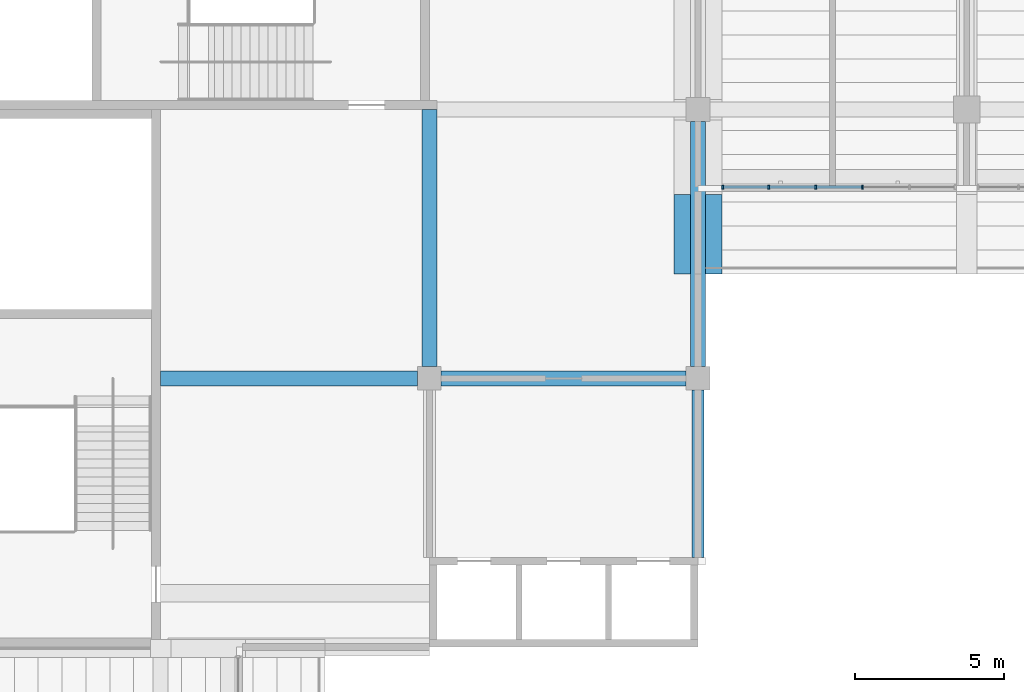
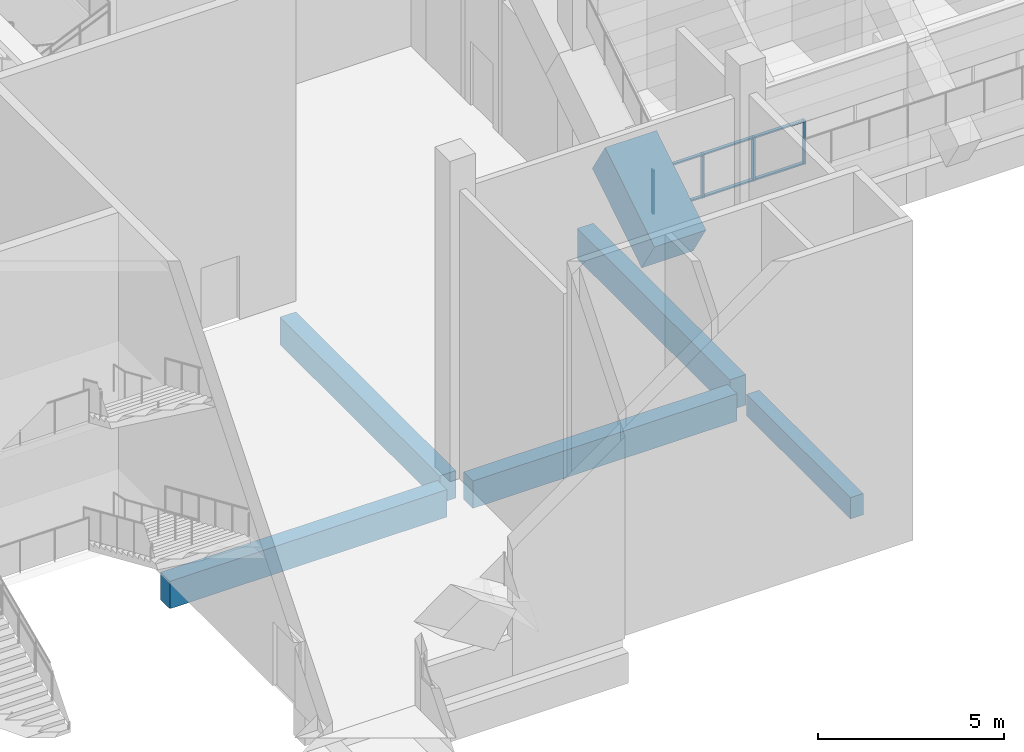
# One storey, part 34 of 182: 10 members, 6 beams, 1 element without a shape of its own.
"""IFC4 building model written with IfcOpenShell, lengths in metres."""

from ifc_helpers import new_model, si_unit, direction, frame, origin, origin_2d, place, context, subcontext, project, spatial, rectangle, extrude, material, material_profile, profile_set, type_object, element, aggregate, save


model = new_model("IFC4")

# Units and contexts
model_context = context("Model", 3, precision=1e-05, world=origin(), true_north=direction((0.0, 1.0)))
body_context = subcontext(model_context, "Body", "Model", "MODEL_VIEW")
ifc_project = project(units=[si_unit("LENGTHUNIT", "METRE"), si_unit("AREAUNIT", "SQUARE_METRE"), si_unit("VOLUMEUNIT", "CUBIC_METRE"), si_unit("PLANEANGLEUNIT", "RADIAN"), si_unit("MASSUNIT", "GRAM", prefix="KILO")], contexts=[model_context])

# Site, building, storey
site_placement = place(None, origin())
site = spatial("IfcSite", under=ifc_project, at=site_placement, CompositionType="ELEMENT")
building_placement = place(site_placement, origin())
building = spatial("IfcBuilding", under=site, at=building_placement, Name="Silverbay Arena", CompositionType="ELEMENT")
storey_placement = place(building_placement, frame((0.0, 0.0, 11.5)))
storey = spatial("IfcBuildingStorey", under=building, at=storey_placement, Name="L02", CompositionType="ELEMENT", Elevation=11.5)

# Curtain wall, members
ifc_material_1 = material(Name="Fire-resisting glass", Category="glass")
curtain_wall_type = type_object("IfcCurtainWallType", Name="Fire-resisting glazed screen EI 120 7850 x 1437", PredefinedType="NOTDEFINED", material=ifc_material_1)
curtain_wall_placement = place(storey_placement, origin())
curtain_wall = element("IfcCurtainWall", 1, at=curtain_wall_placement, inside=storey, type_object=curtain_wall_type, Name="North suite front 1", PredefinedType="NOTDEFINED")
ifc_material_2 = material(Name="Aluminium", Category="aluminium")
ifc_material_profile_1 = material_profile(ifc_material_2, rectangle(XDim=0.1201171875, YDim=0.06005859375, at=origin_2d()), Name="Mullion 60 x 120")
ifc_profile_set_1 = profile_set([ifc_material_profile_1], Name="Aluminium")
member_type_1 = type_object("IfcMemberType", Name="Mullion 60 x 120", PredefinedType="MULLION", material=ifc_profile_set_1)
member_1_placement = place(storey_placement, frame((99.830078125, 114.39990234375, 1.10009765625), z_axis=(0.0, 0.0, 1.0), x_axis=(0.0, 1.0, 0.0)))
member_1 = element("IfcMember", 2, at=member_1_placement, type_object=member_type_1, Name="CW17 mullion 1", PredefinedType="MULLION", context=body_context, shape_type="SweptSolid", body=[
    extrude(rectangle(XDim=0.1201171875, YDim=0.06005859375, at=origin_2d()), origin(), (0.0, 0.0, 1.0), 1.43701171875),
])
member_2_placement = place(storey_placement, frame((101.3701171875, 114.39990234375, 1.10009765625), z_axis=(0.0, 0.0, 1.0), x_axis=(0.0, 1.0, 0.0)))
member_2 = element("IfcMember", 3, at=member_2_placement, type_object=member_type_1, Name="CW17 mullion 2", PredefinedType="MULLION", context=body_context, shape_type="SweptSolid", body=[
    extrude(rectangle(XDim=0.1201171875, YDim=0.06005859375, at=origin_2d()), origin(), (0.0, 0.0, 1.0), 1.43701171875),
])
member_3_placement = place(storey_placement, frame((102.93994140625, 114.39990234375, 1.10009765625), z_axis=(0.0, 0.0, 1.0), x_axis=(0.0, 1.0, 0.0)))
member_3 = element("IfcMember", 4, at=member_3_placement, type_object=member_type_1, Name="CW17 mullion 3", PredefinedType="MULLION", context=body_context, shape_type="SweptSolid", body=[
    extrude(rectangle(XDim=0.1201171875, YDim=0.06005859375, at=origin_2d()), origin(), (0.0, 0.0, 1.0), 1.43701171875),
])
member_4_placement = place(storey_placement, frame((104.510009765625, 114.39990234375, 1.10009765625), z_axis=(0.0, 0.0, 1.0), x_axis=(0.0, 1.0, 0.0)))
member_4 = element("IfcMember", 5, at=member_4_placement, type_object=member_type_1, Name="CW17 mullion 4", PredefinedType="MULLION", context=body_context, shape_type="SweptSolid", body=[
    extrude(rectangle(XDim=0.1201171875, YDim=0.06005859375, at=origin_2d()), origin(), (0.0, 0.0, 1.0), 1.43701171875),
])

# Beams
ifc_material_3 = material(Name="Concrete Grade C45", Category="concrete")
ifc_material_profile_2 = material_profile(ifc_material_3, rectangle(XDim=0.39990234375, YDim=0.699951171875, at=origin_2d()), Name="RC 400x700")
ifc_profile_set_2 = profile_set([ifc_material_profile_2], Name="Concrete Grade C45")
beam_type_1 = type_object("IfcBeamType", Name="RC beam 400x700", PredefinedType="BEAM", material=ifc_profile_set_2)
beam_1_placement = place(storey_placement, frame((99.0, 102.0, -0.699951171875), z_axis=(0.0, 1.0, 0.0), x_axis=(-1.0, 0.0, 0.0)))
element("IfcBeam", 6, at=beam_1_placement, inside=storey, type_object=beam_type_1, Name="Floor beam L02 249", PredefinedType="BEAM", context=body_context, shape_type="SweptSolid", body=[
    extrude(rectangle(XDim=0.39990234375, YDim=0.699951171875, at=origin_2d()), origin(), (0.0, 0.0, 1.0), 5.60009765625),
])
ifc_material_4 = material(Name="Concrete Grade C45", Category="concrete")
ifc_material_profile_3 = material_profile(ifc_material_4, rectangle(XDim=0.5, YDim=1.0, at=origin_2d()), Name="RC 500x1000")
ifc_profile_set_3 = profile_set([ifc_material_profile_3], Name="Concrete Grade C45")
beam_type_2 = type_object("IfcBeamType", Name="RC beam 500x1000", PredefinedType="BEAM", material=ifc_profile_set_3)
beam_2_placement = place(storey_placement, frame((99.0, 108.39990234375, -0.85009765625), z_axis=(0.0, 1.0, 0.0), x_axis=(-1.0, 0.0, 0.0)))
element("IfcBeam", 7, at=beam_2_placement, inside=storey, type_object=beam_type_2, Name="Floor beam L02 250", PredefinedType="BEAM", context=body_context, shape_type="SweptSolid", body=[
    extrude(rectangle(XDim=0.5, YDim=1.0, at=origin_2d()), origin(), (0.0, 0.0, 1.0), 8.2001953125),
])
ifc_material_5 = material(Name="Concrete Grade C45", Category="concrete")
ifc_material_profile_4 = material_profile(ifc_material_5, rectangle(XDim=0.5, YDim=0.89990234375, at=origin_2d()), Name="RC 500x900")
ifc_profile_set_4 = profile_set([ifc_material_profile_4], Name="Concrete Grade C45")
beam_type_3 = type_object("IfcBeamType", Name="RC beam 500x900", PredefinedType="BEAM", material=ifc_profile_set_4)
beam_3_placement = place(storey_placement, frame((81.0, 108.0, -0.800048828125), z_axis=(1.0, 0.0, 0.0), x_axis=(0.0, 1.0, 0.0)))
element("IfcBeam", 8, at=beam_3_placement, inside=storey, type_object=beam_type_3, Name="Floor beam L02 128", PredefinedType="BEAM", context=body_context, shape_type="SweptSolid", body=[
    extrude(rectangle(XDim=0.5, YDim=0.89990234375, at=origin_2d()), origin(), (0.0, 0.0, 1.0), 8.60009765625),
])
beam_4_placement = place(storey_placement, frame((90.39990234375, 108.0, -0.800048828125), z_axis=(1.0, 0.0, 0.0), x_axis=(0.0, 1.0, 0.0)))
element("IfcBeam", 9, at=beam_4_placement, inside=storey, type_object=beam_type_3, Name="Floor beam L02 129", PredefinedType="BEAM", context=body_context, shape_type="SweptSolid", body=[
    extrude(rectangle(XDim=0.5, YDim=0.89990234375, at=origin_2d()), origin(), (0.0, 0.0, 1.0), 8.2001953125),
])
beam_5_placement = place(storey_placement, frame((90.0, 108.39990234375, -0.800048828125), z_axis=(0.0, 1.0, 0.0), x_axis=(-1.0, 0.0, 0.0)))
element("IfcBeam", 10, at=beam_5_placement, inside=storey, type_object=beam_type_3, Name="Floor beam L02 241", PredefinedType="BEAM", context=body_context, shape_type="SweptSolid", body=[
    extrude(rectangle(XDim=0.5, YDim=0.89990234375, at=origin_2d()), origin(), (0.0, 0.0, 1.0), 8.60009765625),
])
ifc_material_6 = material(Name="Concrete Grade C45", Category="concrete")
ifc_material_profile_5 = material_profile(ifc_material_6, rectangle(XDim=1.60009765625, YDim=1.300048828125, at=origin_2d()), Name="RC 1600x1300")
ifc_profile_set_5 = profile_set([ifc_material_profile_5], Name="Concrete Grade C45")
beam_type_4 = type_object("IfcBeamType", Name="RC cantilever raker 1600x1300", PredefinedType="BEAM", material=ifc_profile_set_5)
beam_6_placement = place(storey_placement, frame((99.0, 111.844482421875, 1.768798828125), z_axis=(0.0, 0.848002683915, 0.529991932082), x_axis=(-1.0, 0.0, 0.0)))
element("IfcBeam", 11, at=beam_6_placement, inside=storey, type_object=beam_type_4, Name="Raker North upper 99 tip", PredefinedType="BEAM", context=body_context, shape_type="SweptSolid", body=[
    extrude(rectangle(XDim=1.60009765625, YDim=1.300048828125, at=origin_2d()), origin(), (0.0, 0.0, 1.0), 3.131591796875),
])

# Member
ifc_material_7 = material(Name="Aluminium", Category="aluminium")
ifc_material_profile_6 = material_profile(ifc_material_7, rectangle(XDim=0.10009765625, YDim=0.050048828125, at=origin_2d()), Name="Transom 50 x 100")
ifc_profile_set_6 = profile_set([ifc_material_profile_6], Name="Aluminium")
member_type_2 = type_object("IfcMemberType", Name="Transom 50 x 100", PredefinedType="USERDEFINED", material=ifc_profile_set_6)
member_5_placement = place(storey_placement, frame((99.860107421875, 114.39990234375, 1.125), z_axis=(1.0, 0.0, 0.0), x_axis=(0.0, 1.0, 0.0)))
member_5 = element("IfcMember", 12, at=member_5_placement, type_object=member_type_2, Name="CW17 transom 1.1", ObjectType="TRANSOM", PredefinedType="USERDEFINED", context=body_context, shape_type="SweptSolid", body=[
    extrude(rectangle(XDim=0.10009765625, YDim=0.050048828125, at=origin_2d()), origin(), (0.0, 0.0, 1.0), 1.47998046875),
])

member_6_placement = place(storey_placement, frame((99.860107421875, 114.39990234375, 2.511962890625), z_axis=(1.0, 0.0, 0.0), x_axis=(0.0, 1.0, 0.0)))
member_6 = element("IfcMember", 13, at=member_6_placement, type_object=member_type_2, Name="CW17 transom 1.2", ObjectType="TRANSOM", PredefinedType="USERDEFINED", context=body_context, shape_type="SweptSolid", body=[
    extrude(rectangle(XDim=0.10009765625, YDim=0.050048828125, at=origin_2d()), origin(), (0.0, 0.0, 1.0), 1.47998046875),
])

member_7_placement = place(storey_placement, frame((101.39990234375, 114.39990234375, 1.125), z_axis=(1.0, 0.0, 0.0), x_axis=(0.0, 1.0, 0.0)))
member_7 = element("IfcMember", 14, at=member_7_placement, type_object=member_type_2, Name="CW17 transom 2.1", ObjectType="TRANSOM", PredefinedType="USERDEFINED", context=body_context, shape_type="SweptSolid", body=[
    extrude(rectangle(XDim=0.10009765625, YDim=0.050048828125, at=origin_2d()), origin(), (0.0, 0.0, 1.0), 1.510009765625),
])

member_8_placement = place(storey_placement, frame((101.39990234375, 114.39990234375, 2.511962890625), z_axis=(1.0, 0.0, 0.0), x_axis=(0.0, 1.0, 0.0)))
member_8 = element("IfcMember", 15, at=member_8_placement, type_object=member_type_2, Name="CW17 transom 2.2", ObjectType="TRANSOM", PredefinedType="USERDEFINED", context=body_context, shape_type="SweptSolid", body=[
    extrude(rectangle(XDim=0.10009765625, YDim=0.050048828125, at=origin_2d()), origin(), (0.0, 0.0, 1.0), 1.510009765625),
])

member_9_placement = place(storey_placement, frame((102.969970703125, 114.39990234375, 1.125), z_axis=(1.0, 0.0, 0.0), x_axis=(0.0, 1.0, 0.0)))
member_9 = element("IfcMember", 16, at=member_9_placement, type_object=member_type_2, Name="CW17 transom 3.1", ObjectType="TRANSOM", PredefinedType="USERDEFINED", context=body_context, shape_type="SweptSolid", body=[
    extrude(rectangle(XDim=0.10009765625, YDim=0.050048828125, at=origin_2d()), origin(), (0.0, 0.0, 1.0), 1.510009765625),
])

member_10_placement = place(storey_placement, frame((102.969970703125, 114.39990234375, 2.511962890625), z_axis=(1.0, 0.0, 0.0), x_axis=(0.0, 1.0, 0.0)))
member_10 = element("IfcMember", 17, at=member_10_placement, type_object=member_type_2, Name="CW17 transom 3.2", ObjectType="TRANSOM", PredefinedType="USERDEFINED", context=body_context, shape_type="SweptSolid", body=[
    extrude(rectangle(XDim=0.10009765625, YDim=0.050048828125, at=origin_2d()), origin(), (0.0, 0.0, 1.0), 1.510009765625),
])

aggregate(curtain_wall, [member_1, member_2, member_3, member_4, member_5, member_6, member_7, member_8, member_9, member_10])

save(model, "model.ifc")
